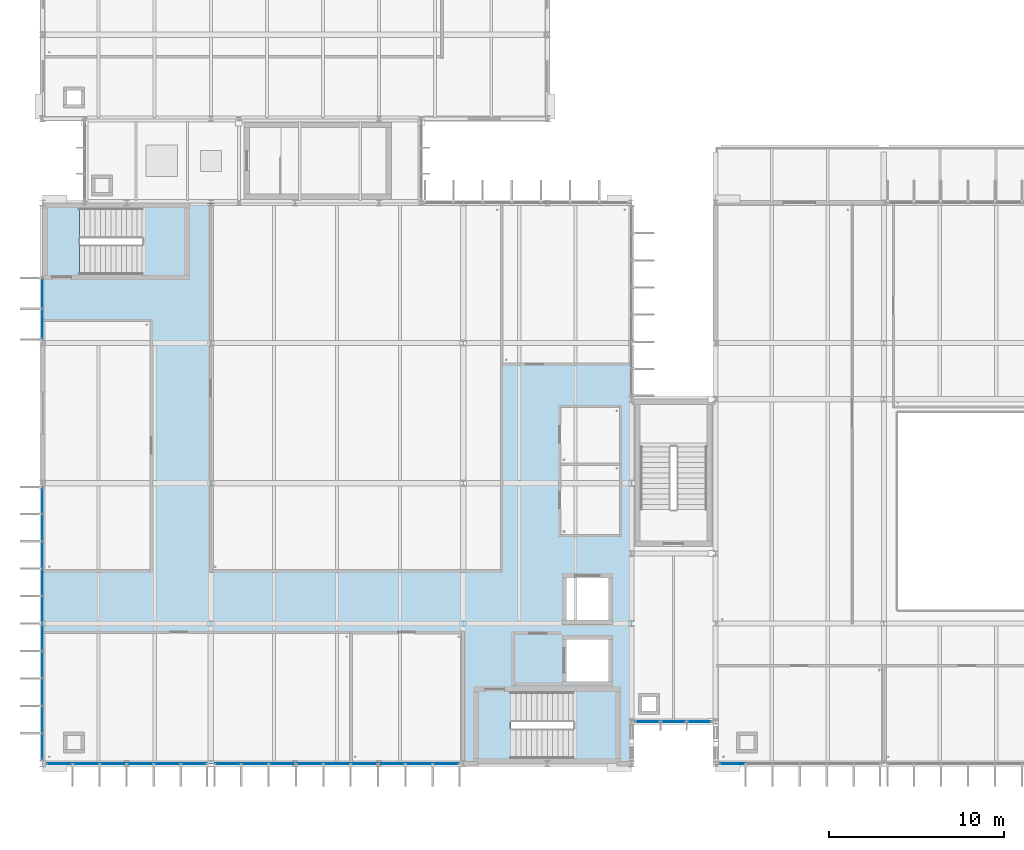
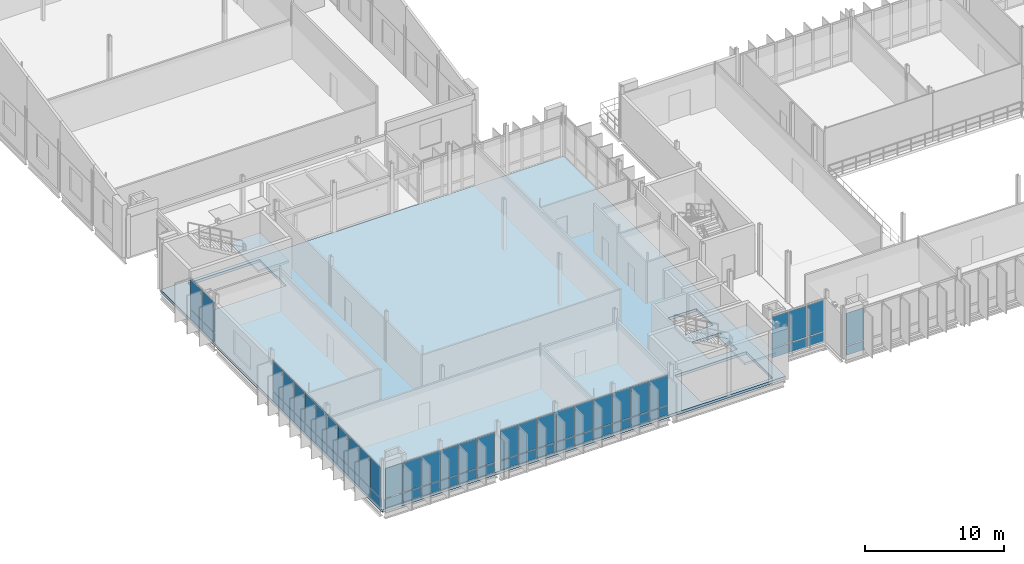
# One storey, part 39 of 93: 62 plates, 3 slabs, 8 elements without a shape of their own.
"""IFC4 building model written with IfcOpenShell, lengths in metres."""

from ifc_helpers import new_model, si_unit, direction, frame, origin, origin_2d, place, context, subcontext, project, spatial, polyline, rectangle, outline, extrude, material, layer, layer_set, type_object, element, aggregate, save


model = new_model("IFC4")

# Units and contexts
model_context = context("Model", 3, precision=1e-05, world=origin(), true_north=direction((0.0, 1.0)))
body_context = subcontext(model_context, "Body", "Model", "MODEL_VIEW")
ifc_project = project(units=[si_unit("LENGTHUNIT", "METRE"), si_unit("AREAUNIT", "SQUARE_METRE"), si_unit("VOLUMEUNIT", "CUBIC_METRE"), si_unit("PLANEANGLEUNIT", "RADIAN"), si_unit("MASSUNIT", "GRAM", prefix="KILO")], contexts=[model_context])

# Site, building, storey
site_placement = place(None, origin())
site = spatial("IfcSite", under=ifc_project, at=site_placement, CompositionType="ELEMENT")
building_placement = place(site_placement, origin())
building = spatial("IfcBuilding", under=site, at=building_placement, Name="Dunescarp Central Library", CompositionType="ELEMENT")
storey_placement = place(building_placement, frame((0.0, 0.0, 14.10009765625)))
storey = spatial("IfcBuildingStorey", under=building, at=storey_placement, Name="L03", CompositionType="ELEMENT", Elevation=14.10009765625)

# Curtain wall, plates
ifc_material_1 = material(Name="Marine-grade anodised aluminium 6063-T6", Category="aluminium")
curtain_wall_type_1 = type_object("IfcCurtainWallType", Name="ARC-CW-STICK", PredefinedType="NOTDEFINED", material=ifc_material_1)
curtain_wall_1_placement = place(storey_placement, origin())
curtain_wall_1 = element("IfcCurtainWall", 1, at=curtain_wall_1_placement, inside=storey, type_object=curtain_wall_type_1, Name="L03 curtain wall CW-V1-018", PredefinedType="NOTDEFINED")
ifc_material_2 = material(Name="Solar-control laminated double glazing", Category="glass")
ifc_layer_1 = layer(ifc_material_2, 0.028076171875)
ifc_layer_set_1 = layer_set([ifc_layer_1], Name="Solar-control laminated double glazing")
plate_type_1 = type_object("IfcPlateType", Name="ARC-PLT-GLZ28", PredefinedType="CURTAIN_PANEL", material=ifc_layer_set_1)
plate_1_placement = place(storey_placement, frame((8.63427734375, 4.800048828125, 0.93994140625), z_axis=(0.0, 0.0, 1.0), x_axis=(-1.0, 0.0, 0.0)))
plate_1 = element("IfcPlate", 2, at=plate_1_placement, type_object=plate_type_1, Name="CW-V1-018 panel 1.2", PredefinedType="CURTAIN_PANEL", context=body_context, shape_type="SweptSolid", body=[
    extrude(rectangle(XDim=1.421630859375, YDim=0.028076171875, at=origin_2d()), origin(), (0.0, 0.0, 1.0), 2.60498046875),
])
plate_2_placement = place(storey_placement, frame((7.112548828125, 4.800048828125, 0.93994140625), z_axis=(0.0, 0.0, 1.0), x_axis=(-1.0, 0.0, 0.0)))
plate_2 = element("IfcPlate", 3, at=plate_2_placement, type_object=plate_type_1, Name="CW-V1-018 panel 2.2", PredefinedType="CURTAIN_PANEL", context=body_context, shape_type="SweptSolid", body=[
    extrude(rectangle(XDim=1.461669921875, YDim=0.028076171875, at=origin_2d()), origin(), (0.0, 0.0, 1.0), 2.60498046875),
])
plate_3_placement = place(storey_placement, frame((5.57080078125, 4.800048828125, 0.93994140625), z_axis=(0.0, 0.0, 1.0), x_axis=(-1.0, 0.0, 0.0)))
plate_3 = element("IfcPlate", 4, at=plate_3_placement, type_object=plate_type_1, Name="CW-V1-018 panel 3.2", PredefinedType="CURTAIN_PANEL", context=body_context, shape_type="SweptSolid", body=[
    extrude(rectangle(XDim=1.461669921875, YDim=0.028076171875, at=origin_2d()), origin(), (0.0, 0.0, 1.0), 2.60498046875),
])
plate_4_placement = place(storey_placement, frame((4.029052734375, 4.800048828125, 0.93994140625), z_axis=(0.0, 0.0, 1.0), x_axis=(-1.0, 0.0, 0.0)))
plate_4 = element("IfcPlate", 5, at=plate_4_placement, type_object=plate_type_1, Name="CW-V1-018 panel 4.2", PredefinedType="CURTAIN_PANEL", context=body_context, shape_type="SweptSolid", body=[
    extrude(rectangle(XDim=1.461669921875, YDim=0.028076171875, at=origin_2d()), origin(), (0.0, 0.0, 1.0), 2.60498046875),
])
plate_5_placement = place(storey_placement, frame((2.487548828125, 4.800048828125, 0.93994140625), z_axis=(0.0, 0.0, 1.0), x_axis=(-1.0, 0.0, 0.0)))
plate_5 = element("IfcPlate", 6, at=plate_5_placement, type_object=plate_type_1, Name="CW-V1-018 panel 5.2", PredefinedType="CURTAIN_PANEL", context=body_context, shape_type="SweptSolid", body=[
    extrude(rectangle(XDim=1.461669921875, YDim=0.028076171875, at=origin_2d()), origin(), (0.0, 0.0, 1.0), 2.60498046875),
])
plate_6_placement = place(storey_placement, frame((0.9658203125, 4.800048828125, 0.93994140625), z_axis=(0.0, 0.0, 1.0), x_axis=(-1.0, 0.0, 0.0)))
plate_6 = element("IfcPlate", 7, at=plate_6_placement, type_object=plate_type_1, Name="CW-V1-018 panel 6.2", PredefinedType="CURTAIN_PANEL", context=body_context, shape_type="SweptSolid", body=[
    extrude(rectangle(XDim=1.421630859375, YDim=0.028076171875, at=origin_2d()), origin(), (0.0, 0.0, 1.0), 2.60498046875),
])

curtain_wall_2_placement = place(storey_placement, origin())
curtain_wall_2 = element("IfcCurtainWall", 8, at=curtain_wall_2_placement, inside=storey, type_object=curtain_wall_type_1, Name="L03 curtain wall CW-V1-019", PredefinedType="NOTDEFINED")
plate_7_placement = place(storey_placement, frame((23.0244140625, 4.800048828125, 0.93994140625), z_axis=(0.0, 0.0, 1.0), x_axis=(-1.0, 0.0, 0.0)))
plate_7 = element("IfcPlate", 9, at=plate_7_placement, type_object=plate_type_1, Name="CW-V1-019 panel 1.2", PredefinedType="CURTAIN_PANEL", context=body_context, shape_type="SweptSolid", body=[
    extrude(rectangle(XDim=1.441162109375, YDim=0.028076171875, at=origin_2d()), origin(), (0.0, 0.0, 1.0), 2.60498046875),
])
plate_8_placement = place(storey_placement, frame((21.4833984375, 4.800048828125, 0.93994140625), z_axis=(0.0, 0.0, 1.0), x_axis=(-1.0, 0.0, 0.0)))
plate_8 = element("IfcPlate", 10, at=plate_8_placement, type_object=plate_type_1, Name="CW-V1-019 panel 2.2", PredefinedType="CURTAIN_PANEL", context=body_context, shape_type="SweptSolid", body=[
    extrude(rectangle(XDim=1.481201171875, YDim=0.028076171875, at=origin_2d()), origin(), (0.0, 0.0, 1.0), 2.60498046875),
])
plate_9_placement = place(storey_placement, frame((19.922119140625, 4.800048828125, 0.93994140625), z_axis=(0.0, 0.0, 1.0), x_axis=(-1.0, 0.0, 0.0)))
plate_9 = element("IfcPlate", 11, at=plate_9_placement, type_object=plate_type_1, Name="CW-V1-019 panel 3.2", PredefinedType="CURTAIN_PANEL", context=body_context, shape_type="SweptSolid", body=[
    extrude(rectangle(XDim=1.481201171875, YDim=0.028076171875, at=origin_2d()), origin(), (0.0, 0.0, 1.0), 2.60498046875),
])
plate_10_placement = place(storey_placement, frame((18.361083984375, 4.800048828125, 0.93994140625), z_axis=(0.0, 0.0, 1.0), x_axis=(-1.0, 0.0, 0.0)))
plate_10 = element("IfcPlate", 12, at=plate_10_placement, type_object=plate_type_1, Name="CW-V1-019 panel 4.2", PredefinedType="CURTAIN_PANEL", context=body_context, shape_type="SweptSolid", body=[
    extrude(rectangle(XDim=1.481201171875, YDim=0.028076171875, at=origin_2d()), origin(), (0.0, 0.0, 1.0), 2.60498046875),
])
plate_11_placement = place(storey_placement, frame((16.800048828125, 4.800048828125, 0.93994140625), z_axis=(0.0, 0.0, 1.0), x_axis=(-1.0, 0.0, 0.0)))
plate_11 = element("IfcPlate", 13, at=plate_11_placement, type_object=plate_type_1, Name="CW-V1-019 panel 5.2", PredefinedType="CURTAIN_PANEL", context=body_context, shape_type="SweptSolid", body=[
    extrude(rectangle(XDim=1.481201171875, YDim=0.028076171875, at=origin_2d()), origin(), (0.0, 0.0, 1.0), 2.60498046875),
])
plate_12_placement = place(storey_placement, frame((15.23876953125, 4.800048828125, 0.93994140625), z_axis=(0.0, 0.0, 1.0), x_axis=(-1.0, 0.0, 0.0)))
plate_12 = element("IfcPlate", 14, at=plate_12_placement, type_object=plate_type_1, Name="CW-V1-019 panel 6.2", PredefinedType="CURTAIN_PANEL", context=body_context, shape_type="SweptSolid", body=[
    extrude(rectangle(XDim=1.481201171875, YDim=0.028076171875, at=origin_2d()), origin(), (0.0, 0.0, 1.0), 2.60498046875),
])
plate_13_placement = place(storey_placement, frame((13.677734375, 4.800048828125, 0.93994140625), z_axis=(0.0, 0.0, 1.0), x_axis=(-1.0, 0.0, 0.0)))
plate_13 = element("IfcPlate", 15, at=plate_13_placement, type_object=plate_type_1, Name="CW-V1-019 panel 7.2", PredefinedType="CURTAIN_PANEL", context=body_context, shape_type="SweptSolid", body=[
    extrude(rectangle(XDim=1.481201171875, YDim=0.028076171875, at=origin_2d()), origin(), (0.0, 0.0, 1.0), 2.60498046875),
])
plate_14_placement = place(storey_placement, frame((12.11669921875, 4.800048828125, 0.93994140625), z_axis=(0.0, 0.0, 1.0), x_axis=(-1.0, 0.0, 0.0)))
plate_14 = element("IfcPlate", 16, at=plate_14_placement, type_object=plate_type_1, Name="CW-V1-019 panel 8.2", PredefinedType="CURTAIN_PANEL", context=body_context, shape_type="SweptSolid", body=[
    extrude(rectangle(XDim=1.481201171875, YDim=0.028076171875, at=origin_2d()), origin(), (0.0, 0.0, 1.0), 2.60498046875),
])
plate_15_placement = place(storey_placement, frame((10.575439453125, 4.800048828125, 0.93994140625), z_axis=(0.0, 0.0, 1.0), x_axis=(-1.0, 0.0, 0.0)))
plate_15 = element("IfcPlate", 17, at=plate_15_placement, type_object=plate_type_1, Name="CW-V1-019 panel 9.2", PredefinedType="CURTAIN_PANEL", context=body_context, shape_type="SweptSolid", body=[
    extrude(rectangle(XDim=1.441162109375, YDim=0.028076171875, at=origin_2d()), origin(), (0.0, 0.0, 1.0), 2.60498046875),
])

curtain_wall_3_placement = place(storey_placement, origin())
curtain_wall_3 = element("IfcCurtainWall", 18, at=curtain_wall_3_placement, inside=storey, type_object=curtain_wall_type_1, Name="L03 curtain wall CW-V1-021", PredefinedType="NOTDEFINED")
plate_16_placement = place(storey_placement, frame((0.0, 5.777587890625, 0.93994140625), z_axis=(0.0, 0.0, 1.0), x_axis=(0.0, 1.0, 0.0)))
plate_16 = element("IfcPlate", 19, at=plate_16_placement, type_object=plate_type_1, Name="CW-V1-021 panel 1.2", PredefinedType="CURTAIN_PANEL", context=body_context, shape_type="SweptSolid", body=[
    extrude(rectangle(XDim=1.445068359375, YDim=0.028076171875, at=origin_2d()), origin(), (0.0, 0.0, 1.0), 2.655029296875),
])
plate_17_placement = place(storey_placement, frame((0.0, 7.322509765625, 0.93994140625), z_axis=(0.0, 0.0, 1.0), x_axis=(0.0, 1.0, 0.0)))
plate_17 = element("IfcPlate", 20, at=plate_17_placement, type_object=plate_type_1, Name="CW-V1-021 panel 2.2", PredefinedType="CURTAIN_PANEL", context=body_context, shape_type="SweptSolid", body=[
    extrude(rectangle(XDim=1.485107421875, YDim=0.028076171875, at=origin_2d()), origin(), (0.0, 0.0, 1.0), 2.655029296875),
])
plate_18_placement = place(storey_placement, frame((0.0, 8.887451171875, 0.93994140625), z_axis=(0.0, 0.0, 1.0), x_axis=(0.0, 1.0, 0.0)))
plate_18 = element("IfcPlate", 21, at=plate_18_placement, type_object=plate_type_1, Name="CW-V1-021 panel 3.2", PredefinedType="CURTAIN_PANEL", context=body_context, shape_type="SweptSolid", body=[
    extrude(rectangle(XDim=1.485107421875, YDim=0.028076171875, at=origin_2d()), origin(), (0.0, 0.0, 1.0), 2.655029296875),
])
plate_19_placement = place(storey_placement, frame((0.0, 10.452392578125, 0.93994140625), z_axis=(0.0, 0.0, 1.0), x_axis=(0.0, 1.0, 0.0)))
plate_19 = element("IfcPlate", 22, at=plate_19_placement, type_object=plate_type_1, Name="CW-V1-021 panel 4.2", PredefinedType="CURTAIN_PANEL", context=body_context, shape_type="SweptSolid", body=[
    extrude(rectangle(XDim=1.485107421875, YDim=0.028076171875, at=origin_2d()), origin(), (0.0, 0.0, 1.0), 2.655029296875),
])
plate_20_placement = place(storey_placement, frame((0.0, 12.017578125, 0.93994140625), z_axis=(0.0, 0.0, 1.0), x_axis=(0.0, 1.0, 0.0)))
plate_20 = element("IfcPlate", 23, at=plate_20_placement, type_object=plate_type_1, Name="CW-V1-021 panel 5.2", PredefinedType="CURTAIN_PANEL", context=body_context, shape_type="SweptSolid", body=[
    extrude(rectangle(XDim=1.485107421875, YDim=0.028076171875, at=origin_2d()), origin(), (0.0, 0.0, 1.0), 2.655029296875),
])
plate_21_placement = place(storey_placement, frame((0.0, 13.58251953125, 0.93994140625), z_axis=(0.0, 0.0, 1.0), x_axis=(0.0, 1.0, 0.0)))
plate_21 = element("IfcPlate", 24, at=plate_21_placement, type_object=plate_type_1, Name="CW-V1-021 panel 6.2", PredefinedType="CURTAIN_PANEL", context=body_context, shape_type="SweptSolid", body=[
    extrude(rectangle(XDim=1.485107421875, YDim=0.028076171875, at=origin_2d()), origin(), (0.0, 0.0, 1.0), 2.655029296875),
])
plate_22_placement = place(storey_placement, frame((0.0, 15.1474609375, 0.93994140625), z_axis=(0.0, 0.0, 1.0), x_axis=(0.0, 1.0, 0.0)))
plate_22 = element("IfcPlate", 25, at=plate_22_placement, type_object=plate_type_1, Name="CW-V1-021 panel 7.2", PredefinedType="CURTAIN_PANEL", context=body_context, shape_type="SweptSolid", body=[
    extrude(rectangle(XDim=1.485107421875, YDim=0.028076171875, at=origin_2d()), origin(), (0.0, 0.0, 1.0), 2.655029296875),
])
plate_23_placement = place(storey_placement, frame((0.0, 16.71240234375, 0.93994140625), z_axis=(0.0, 0.0, 1.0), x_axis=(0.0, 1.0, 0.0)))
plate_23 = element("IfcPlate", 26, at=plate_23_placement, type_object=plate_type_1, Name="CW-V1-021 panel 8.2", PredefinedType="CURTAIN_PANEL", context=body_context, shape_type="SweptSolid", body=[
    extrude(rectangle(XDim=1.485107421875, YDim=0.028076171875, at=origin_2d()), origin(), (0.0, 0.0, 1.0), 2.655029296875),
])
plate_24_placement = place(storey_placement, frame((0.0, 18.277587890625, 0.93994140625), z_axis=(0.0, 0.0, 1.0), x_axis=(0.0, 1.0, 0.0)))
plate_24 = element("IfcPlate", 27, at=plate_24_placement, type_object=plate_type_1, Name="CW-V1-021 panel 9.2", PredefinedType="CURTAIN_PANEL", context=body_context, shape_type="SweptSolid", body=[
    extrude(rectangle(XDim=1.485107421875, YDim=0.028076171875, at=origin_2d()), origin(), (0.0, 0.0, 1.0), 2.655029296875),
])
plate_25_placement = place(storey_placement, frame((0.0, 19.822509765625, 0.93994140625), z_axis=(0.0, 0.0, 1.0), x_axis=(0.0, 1.0, 0.0)))
plate_25 = element("IfcPlate", 28, at=plate_25_placement, type_object=plate_type_1, Name="CW-V1-021 panel 10.2", PredefinedType="CURTAIN_PANEL", context=body_context, shape_type="SweptSolid", body=[
    extrude(rectangle(XDim=1.445068359375, YDim=0.028076171875, at=origin_2d()), origin(), (0.0, 0.0, 1.0), 2.655029296875),
])

curtain_wall_4_placement = place(storey_placement, origin())
curtain_wall_4 = element("IfcCurtainWall", 29, at=curtain_wall_4_placement, inside=storey, type_object=curtain_wall_type_1, Name="L03 curtain wall CW-V1-022", PredefinedType="NOTDEFINED")
plate_26_placement = place(storey_placement, frame((0.0, 29.888671875, 0.93994140625), z_axis=(0.0, 0.0, 1.0), x_axis=(0.0, 1.0, 0.0)))
plate_26 = element("IfcPlate", 30, at=plate_26_placement, type_object=plate_type_1, Name="CW-V1-022 panel 1.2", PredefinedType="CURTAIN_PANEL", context=body_context, shape_type="SweptSolid", body=[
    extrude(rectangle(XDim=1.66748046875, YDim=0.028076171875, at=origin_2d()), origin(), (0.0, 0.0, 1.0), 2.655029296875),
])
plate_27_placement = place(storey_placement, frame((0.0, 31.63623046875, 0.93994140625), z_axis=(0.0, 0.0, 1.0), x_axis=(0.0, 1.0, 0.0)))
plate_27 = element("IfcPlate", 31, at=plate_27_placement, type_object=plate_type_1, Name="CW-V1-022 panel 2.2", PredefinedType="CURTAIN_PANEL", context=body_context, shape_type="SweptSolid", body=[
    extrude(rectangle(XDim=1.66748046875, YDim=0.028076171875, at=origin_2d()), origin(), (0.0, 0.0, 1.0), 2.655029296875),
])

# Curtain wall, plate
curtain_wall_5_placement = place(storey_placement, origin())
curtain_wall_5 = element("IfcCurtainWall", 32, at=curtain_wall_5_placement, inside=storey, type_object=curtain_wall_type_1, Name="L03 curtain wall CW-V2-061", PredefinedType="NOTDEFINED")
plate_28_placement = place(storey_placement, frame((39.36572265625, 4.800048828125, 0.93994140625), z_axis=(0.0, 0.0, 1.0), x_axis=(-1.0, 0.0, 0.0)))
plate_28 = element("IfcPlate", 33, at=plate_28_placement, type_object=plate_type_1, Name="CW-V2-061 panel 6.2", PredefinedType="CURTAIN_PANEL", context=body_context, shape_type="SweptSolid", body=[
    extrude(rectangle(XDim=1.421630859375, YDim=0.028076171875, at=origin_2d()), origin(), (0.0, 0.0, 1.0), 2.842041015625),
])

# Curtain wall, plates
curtain_wall_type_2 = type_object("IfcCurtainWallType", Name="ARC-CW-LINK", PredefinedType="USERDEFINED", material=ifc_material_1)
curtain_wall_6_placement = place(storey_placement, origin())
curtain_wall_6 = element("IfcCurtainWall", 34, at=curtain_wall_6_placement, inside=storey, type_object=curtain_wall_type_2, Name="L03 curtain wall CW-GL1-S-L03", ObjectType="GLAZED_LINK_WALL", PredefinedType="USERDEFINED")
plate_29_placement = place(storey_placement, frame((37.46337890625, 7.199951171875, 0.93994140625), z_axis=(0.0, 0.0, 1.0), x_axis=(-1.0, 0.0, 0.0)))
plate_29 = element("IfcPlate", 35, at=plate_29_placement, type_object=plate_type_1, Name="CW-GL1-S-L03 panel 1.2", PredefinedType="CURTAIN_PANEL", context=body_context, shape_type="SweptSolid", body=[
    extrude(rectangle(XDim=1.36328125, YDim=0.028076171875, at=origin_2d()), origin(), (0.0, 0.0, 1.0), 2.7548828125),
])
plate_30_placement = place(storey_placement, frame((36.0, 7.199951171875, 0.93994140625), z_axis=(0.0, 0.0, 1.0), x_axis=(-1.0, 0.0, 0.0)))
plate_30 = element("IfcPlate", 36, at=plate_30_placement, type_object=plate_type_1, Name="CW-GL1-S-L03 panel 2.2", PredefinedType="CURTAIN_PANEL", context=body_context, shape_type="SweptSolid", body=[
    extrude(rectangle(XDim=1.4033203125, YDim=0.028076171875, at=origin_2d()), origin(), (0.0, 0.0, 1.0), 2.7548828125),
])
plate_31_placement = place(storey_placement, frame((34.53662109375, 7.199951171875, 0.93994140625), z_axis=(0.0, 0.0, 1.0), x_axis=(-1.0, 0.0, 0.0)))
plate_31 = element("IfcPlate", 37, at=plate_31_placement, type_object=plate_type_1, Name="CW-GL1-S-L03 panel 3.2", PredefinedType="CURTAIN_PANEL", context=body_context, shape_type="SweptSolid", body=[
    extrude(rectangle(XDim=1.36328125, YDim=0.028076171875, at=origin_2d()), origin(), (0.0, 0.0, 1.0), 2.7548828125),
])

# Plate
ifc_layer_2 = layer(ifc_material_1, 0.050048828125)
ifc_layer_set_2 = layer_set([ifc_layer_2], Name="Marine-grade anodised aluminium 6063-T6")
plate_type_2 = type_object("IfcPlateType", Name="ARC-PLT-SPN50", PredefinedType="SHEET", material=ifc_layer_set_2)
plate_32_placement = place(storey_placement, frame((8.63427734375, 4.800048828125, 0.080078125), z_axis=(0.0, 0.0, 1.0), x_axis=(-1.0, 0.0, 0.0)))
plate_32 = element("IfcPlate", 38, at=plate_32_placement, type_object=plate_type_2, Name="CW-V1-018 panel 1.1", PredefinedType="SHEET", context=body_context, shape_type="SweptSolid", body=[
    extrude(rectangle(XDim=1.421630859375, YDim=0.050048828125, at=origin_2d()), origin(), (0.0, 0.0, 1.0), 0.780029296875),
])

plate_33_placement = place(storey_placement, frame((7.112548828125, 4.800048828125, 0.080078125), z_axis=(0.0, 0.0, 1.0), x_axis=(-1.0, 0.0, 0.0)))
plate_33 = element("IfcPlate", 39, at=plate_33_placement, type_object=plate_type_2, Name="CW-V1-018 panel 2.1", PredefinedType="SHEET", context=body_context, shape_type="SweptSolid", body=[
    extrude(rectangle(XDim=1.461669921875, YDim=0.050048828125, at=origin_2d()), origin(), (0.0, 0.0, 1.0), 0.780029296875),
])

plate_34_placement = place(storey_placement, frame((5.57080078125, 4.800048828125, 0.080078125), z_axis=(0.0, 0.0, 1.0), x_axis=(-1.0, 0.0, 0.0)))
plate_34 = element("IfcPlate", 40, at=plate_34_placement, type_object=plate_type_2, Name="CW-V1-018 panel 3.1", PredefinedType="SHEET", context=body_context, shape_type="SweptSolid", body=[
    extrude(rectangle(XDim=1.461669921875, YDim=0.050048828125, at=origin_2d()), origin(), (0.0, 0.0, 1.0), 0.780029296875),
])

plate_35_placement = place(storey_placement, frame((4.029052734375, 4.800048828125, 0.080078125), z_axis=(0.0, 0.0, 1.0), x_axis=(-1.0, 0.0, 0.0)))
plate_35 = element("IfcPlate", 41, at=plate_35_placement, type_object=plate_type_2, Name="CW-V1-018 panel 4.1", PredefinedType="SHEET", context=body_context, shape_type="SweptSolid", body=[
    extrude(rectangle(XDim=1.461669921875, YDim=0.050048828125, at=origin_2d()), origin(), (0.0, 0.0, 1.0), 0.780029296875),
])

plate_36_placement = place(storey_placement, frame((2.487548828125, 4.800048828125, 0.080078125), z_axis=(0.0, 0.0, 1.0), x_axis=(-1.0, 0.0, 0.0)))
plate_36 = element("IfcPlate", 42, at=plate_36_placement, type_object=plate_type_2, Name="CW-V1-018 panel 5.1", PredefinedType="SHEET", context=body_context, shape_type="SweptSolid", body=[
    extrude(rectangle(XDim=1.461669921875, YDim=0.050048828125, at=origin_2d()), origin(), (0.0, 0.0, 1.0), 0.780029296875),
])

plate_37_placement = place(storey_placement, frame((0.9658203125, 4.800048828125, 0.080078125), z_axis=(0.0, 0.0, 1.0), x_axis=(-1.0, 0.0, 0.0)))
plate_37 = element("IfcPlate", 43, at=plate_37_placement, type_object=plate_type_2, Name="CW-V1-018 panel 6.1", PredefinedType="SHEET", context=body_context, shape_type="SweptSolid", body=[
    extrude(rectangle(XDim=1.421630859375, YDim=0.050048828125, at=origin_2d()), origin(), (0.0, 0.0, 1.0), 0.780029296875),
])

aggregate(curtain_wall_1, [plate_32, plate_1, plate_33, plate_2, plate_34, plate_3, plate_35, plate_4, plate_36, plate_5, plate_37, plate_6])

plate_38_placement = place(storey_placement, frame((23.0244140625, 4.800048828125, 0.080078125), z_axis=(0.0, 0.0, 1.0), x_axis=(-1.0, 0.0, 0.0)))
plate_38 = element("IfcPlate", 44, at=plate_38_placement, type_object=plate_type_2, Name="CW-V1-019 panel 1.1", PredefinedType="SHEET", context=body_context, shape_type="SweptSolid", body=[
    extrude(rectangle(XDim=1.441162109375, YDim=0.050048828125, at=origin_2d()), origin(), (0.0, 0.0, 1.0), 0.780029296875),
])

plate_39_placement = place(storey_placement, frame((21.4833984375, 4.800048828125, 0.080078125), z_axis=(0.0, 0.0, 1.0), x_axis=(-1.0, 0.0, 0.0)))
plate_39 = element("IfcPlate", 45, at=plate_39_placement, type_object=plate_type_2, Name="CW-V1-019 panel 2.1", PredefinedType="SHEET", context=body_context, shape_type="SweptSolid", body=[
    extrude(rectangle(XDim=1.481201171875, YDim=0.050048828125, at=origin_2d()), origin(), (0.0, 0.0, 1.0), 0.780029296875),
])

plate_40_placement = place(storey_placement, frame((19.922119140625, 4.800048828125, 0.080078125), z_axis=(0.0, 0.0, 1.0), x_axis=(-1.0, 0.0, 0.0)))
plate_40 = element("IfcPlate", 46, at=plate_40_placement, type_object=plate_type_2, Name="CW-V1-019 panel 3.1", PredefinedType="SHEET", context=body_context, shape_type="SweptSolid", body=[
    extrude(rectangle(XDim=1.481201171875, YDim=0.050048828125, at=origin_2d()), origin(), (0.0, 0.0, 1.0), 0.780029296875),
])

plate_41_placement = place(storey_placement, frame((18.361083984375, 4.800048828125, 0.080078125), z_axis=(0.0, 0.0, 1.0), x_axis=(-1.0, 0.0, 0.0)))
plate_41 = element("IfcPlate", 47, at=plate_41_placement, type_object=plate_type_2, Name="CW-V1-019 panel 4.1", PredefinedType="SHEET", context=body_context, shape_type="SweptSolid", body=[
    extrude(rectangle(XDim=1.481201171875, YDim=0.050048828125, at=origin_2d()), origin(), (0.0, 0.0, 1.0), 0.780029296875),
])

plate_42_placement = place(storey_placement, frame((16.800048828125, 4.800048828125, 0.080078125), z_axis=(0.0, 0.0, 1.0), x_axis=(-1.0, 0.0, 0.0)))
plate_42 = element("IfcPlate", 48, at=plate_42_placement, type_object=plate_type_2, Name="CW-V1-019 panel 5.1", PredefinedType="SHEET", context=body_context, shape_type="SweptSolid", body=[
    extrude(rectangle(XDim=1.481201171875, YDim=0.050048828125, at=origin_2d()), origin(), (0.0, 0.0, 1.0), 0.780029296875),
])

plate_43_placement = place(storey_placement, frame((15.23876953125, 4.800048828125, 0.080078125), z_axis=(0.0, 0.0, 1.0), x_axis=(-1.0, 0.0, 0.0)))
plate_43 = element("IfcPlate", 49, at=plate_43_placement, type_object=plate_type_2, Name="CW-V1-019 panel 6.1", PredefinedType="SHEET", context=body_context, shape_type="SweptSolid", body=[
    extrude(rectangle(XDim=1.481201171875, YDim=0.050048828125, at=origin_2d()), origin(), (0.0, 0.0, 1.0), 0.780029296875),
])

plate_44_placement = place(storey_placement, frame((13.677734375, 4.800048828125, 0.080078125), z_axis=(0.0, 0.0, 1.0), x_axis=(-1.0, 0.0, 0.0)))
plate_44 = element("IfcPlate", 50, at=plate_44_placement, type_object=plate_type_2, Name="CW-V1-019 panel 7.1", PredefinedType="SHEET", context=body_context, shape_type="SweptSolid", body=[
    extrude(rectangle(XDim=1.481201171875, YDim=0.050048828125, at=origin_2d()), origin(), (0.0, 0.0, 1.0), 0.780029296875),
])

plate_45_placement = place(storey_placement, frame((12.11669921875, 4.800048828125, 0.080078125), z_axis=(0.0, 0.0, 1.0), x_axis=(-1.0, 0.0, 0.0)))
plate_45 = element("IfcPlate", 51, at=plate_45_placement, type_object=plate_type_2, Name="CW-V1-019 panel 8.1", PredefinedType="SHEET", context=body_context, shape_type="SweptSolid", body=[
    extrude(rectangle(XDim=1.481201171875, YDim=0.050048828125, at=origin_2d()), origin(), (0.0, 0.0, 1.0), 0.780029296875),
])

plate_46_placement = place(storey_placement, frame((10.575439453125, 4.800048828125, 0.080078125), z_axis=(0.0, 0.0, 1.0), x_axis=(-1.0, 0.0, 0.0)))
plate_46 = element("IfcPlate", 52, at=plate_46_placement, type_object=plate_type_2, Name="CW-V1-019 panel 9.1", PredefinedType="SHEET", context=body_context, shape_type="SweptSolid", body=[
    extrude(rectangle(XDim=1.441162109375, YDim=0.050048828125, at=origin_2d()), origin(), (0.0, 0.0, 1.0), 0.780029296875),
])

aggregate(curtain_wall_2, [plate_38, plate_7, plate_39, plate_8, plate_40, plate_9, plate_41, plate_10, plate_42, plate_11, plate_43, plate_12, plate_44, plate_13, plate_45, plate_14, plate_46, plate_15])

plate_47_placement = place(storey_placement, frame((0.0, 5.777587890625, 0.080078125), z_axis=(0.0, 0.0, 1.0), x_axis=(0.0, 1.0, 0.0)))
plate_47 = element("IfcPlate", 53, at=plate_47_placement, type_object=plate_type_2, Name="CW-V1-021 panel 1.1", PredefinedType="SHEET", context=body_context, shape_type="SweptSolid", body=[
    extrude(rectangle(XDim=1.445068359375, YDim=0.050048828125, at=origin_2d()), origin(), (0.0, 0.0, 1.0), 0.780029296875),
])

plate_48_placement = place(storey_placement, frame((0.0, 7.322509765625, 0.080078125), z_axis=(0.0, 0.0, 1.0), x_axis=(0.0, 1.0, 0.0)))
plate_48 = element("IfcPlate", 54, at=plate_48_placement, type_object=plate_type_2, Name="CW-V1-021 panel 2.1", PredefinedType="SHEET", context=body_context, shape_type="SweptSolid", body=[
    extrude(rectangle(XDim=1.485107421875, YDim=0.050048828125, at=origin_2d()), origin(), (0.0, 0.0, 1.0), 0.780029296875),
])

plate_49_placement = place(storey_placement, frame((0.0, 8.887451171875, 0.080078125), z_axis=(0.0, 0.0, 1.0), x_axis=(0.0, 1.0, 0.0)))
plate_49 = element("IfcPlate", 55, at=plate_49_placement, type_object=plate_type_2, Name="CW-V1-021 panel 3.1", PredefinedType="SHEET", context=body_context, shape_type="SweptSolid", body=[
    extrude(rectangle(XDim=1.485107421875, YDim=0.050048828125, at=origin_2d()), origin(), (0.0, 0.0, 1.0), 0.780029296875),
])

plate_50_placement = place(storey_placement, frame((0.0, 10.452392578125, 0.080078125), z_axis=(0.0, 0.0, 1.0), x_axis=(0.0, 1.0, 0.0)))
plate_50 = element("IfcPlate", 56, at=plate_50_placement, type_object=plate_type_2, Name="CW-V1-021 panel 4.1", PredefinedType="SHEET", context=body_context, shape_type="SweptSolid", body=[
    extrude(rectangle(XDim=1.485107421875, YDim=0.050048828125, at=origin_2d()), origin(), (0.0, 0.0, 1.0), 0.780029296875),
])

plate_51_placement = place(storey_placement, frame((0.0, 12.017578125, 0.080078125), z_axis=(0.0, 0.0, 1.0), x_axis=(0.0, 1.0, 0.0)))
plate_51 = element("IfcPlate", 57, at=plate_51_placement, type_object=plate_type_2, Name="CW-V1-021 panel 5.1", PredefinedType="SHEET", context=body_context, shape_type="SweptSolid", body=[
    extrude(rectangle(XDim=1.485107421875, YDim=0.050048828125, at=origin_2d()), origin(), (0.0, 0.0, 1.0), 0.780029296875),
])

plate_52_placement = place(storey_placement, frame((0.0, 13.58251953125, 0.080078125), z_axis=(0.0, 0.0, 1.0), x_axis=(0.0, 1.0, 0.0)))
plate_52 = element("IfcPlate", 58, at=plate_52_placement, type_object=plate_type_2, Name="CW-V1-021 panel 6.1", PredefinedType="SHEET", context=body_context, shape_type="SweptSolid", body=[
    extrude(rectangle(XDim=1.485107421875, YDim=0.050048828125, at=origin_2d()), origin(), (0.0, 0.0, 1.0), 0.780029296875),
])

plate_53_placement = place(storey_placement, frame((0.0, 15.1474609375, 0.080078125), z_axis=(0.0, 0.0, 1.0), x_axis=(0.0, 1.0, 0.0)))
plate_53 = element("IfcPlate", 59, at=plate_53_placement, type_object=plate_type_2, Name="CW-V1-021 panel 7.1", PredefinedType="SHEET", context=body_context, shape_type="SweptSolid", body=[
    extrude(rectangle(XDim=1.485107421875, YDim=0.050048828125, at=origin_2d()), origin(), (0.0, 0.0, 1.0), 0.780029296875),
])

plate_54_placement = place(storey_placement, frame((0.0, 16.71240234375, 0.080078125), z_axis=(0.0, 0.0, 1.0), x_axis=(0.0, 1.0, 0.0)))
plate_54 = element("IfcPlate", 60, at=plate_54_placement, type_object=plate_type_2, Name="CW-V1-021 panel 8.1", PredefinedType="SHEET", context=body_context, shape_type="SweptSolid", body=[
    extrude(rectangle(XDim=1.485107421875, YDim=0.050048828125, at=origin_2d()), origin(), (0.0, 0.0, 1.0), 0.780029296875),
])

plate_55_placement = place(storey_placement, frame((0.0, 18.277587890625, 0.080078125), z_axis=(0.0, 0.0, 1.0), x_axis=(0.0, 1.0, 0.0)))
plate_55 = element("IfcPlate", 61, at=plate_55_placement, type_object=plate_type_2, Name="CW-V1-021 panel 9.1", PredefinedType="SHEET", context=body_context, shape_type="SweptSolid", body=[
    extrude(rectangle(XDim=1.485107421875, YDim=0.050048828125, at=origin_2d()), origin(), (0.0, 0.0, 1.0), 0.780029296875),
])

plate_56_placement = place(storey_placement, frame((0.0, 19.822509765625, 0.080078125), z_axis=(0.0, 0.0, 1.0), x_axis=(0.0, 1.0, 0.0)))
plate_56 = element("IfcPlate", 62, at=plate_56_placement, type_object=plate_type_2, Name="CW-V1-021 panel 10.1", PredefinedType="SHEET", context=body_context, shape_type="SweptSolid", body=[
    extrude(rectangle(XDim=1.445068359375, YDim=0.050048828125, at=origin_2d()), origin(), (0.0, 0.0, 1.0), 0.780029296875),
])

aggregate(curtain_wall_3, [plate_47, plate_16, plate_48, plate_17, plate_49, plate_18, plate_50, plate_19, plate_51, plate_20, plate_52, plate_21, plate_53, plate_22, plate_54, plate_23, plate_55, plate_24, plate_56, plate_25])

plate_57_placement = place(storey_placement, frame((0.0, 29.888671875, 0.080078125), z_axis=(0.0, 0.0, 1.0), x_axis=(0.0, 1.0, 0.0)))
plate_57 = element("IfcPlate", 63, at=plate_57_placement, type_object=plate_type_2, Name="CW-V1-022 panel 1.1", PredefinedType="SHEET", context=body_context, shape_type="SweptSolid", body=[
    extrude(rectangle(XDim=1.66748046875, YDim=0.050048828125, at=origin_2d()), origin(), (0.0, 0.0, 1.0), 0.780029296875),
])

plate_58_placement = place(storey_placement, frame((0.0, 31.63623046875, 0.080078125), z_axis=(0.0, 0.0, 1.0), x_axis=(0.0, 1.0, 0.0)))
plate_58 = element("IfcPlate", 64, at=plate_58_placement, type_object=plate_type_2, Name="CW-V1-022 panel 2.1", PredefinedType="SHEET", context=body_context, shape_type="SweptSolid", body=[
    extrude(rectangle(XDim=1.66748046875, YDim=0.050048828125, at=origin_2d()), origin(), (0.0, 0.0, 1.0), 0.780029296875),
])

aggregate(curtain_wall_4, [plate_57, plate_26, plate_58, plate_27])

plate_59_placement = place(storey_placement, frame((39.36572265625, 4.800048828125, 0.080078125), z_axis=(0.0, 0.0, 1.0), x_axis=(-1.0, 0.0, 0.0)))
plate_59 = element("IfcPlate", 65, at=plate_59_placement, type_object=plate_type_2, Name="CW-V2-061 panel 6.1", PredefinedType="SHEET", context=body_context, shape_type="SweptSolid", body=[
    extrude(rectangle(XDim=1.421630859375, YDim=0.050048828125, at=origin_2d()), origin(), (0.0, 0.0, 1.0), 0.780029296875),
])

aggregate(curtain_wall_5, [plate_59, plate_28])

plate_60_placement = place(storey_placement, frame((37.46337890625, 7.199951171875, 0.080078125), z_axis=(0.0, 0.0, 1.0), x_axis=(-1.0, 0.0, 0.0)))
plate_60 = element("IfcPlate", 66, at=plate_60_placement, type_object=plate_type_2, Name="CW-GL1-S-L03 panel 1.1", PredefinedType="SHEET", context=body_context, shape_type="SweptSolid", body=[
    extrude(rectangle(XDim=1.36328125, YDim=0.050048828125, at=origin_2d()), origin(), (0.0, 0.0, 1.0), 0.780029296875),
])

plate_61_placement = place(storey_placement, frame((36.0, 7.199951171875, 0.080078125), z_axis=(0.0, 0.0, 1.0), x_axis=(-1.0, 0.0, 0.0)))
plate_61 = element("IfcPlate", 67, at=plate_61_placement, type_object=plate_type_2, Name="CW-GL1-S-L03 panel 2.1", PredefinedType="SHEET", context=body_context, shape_type="SweptSolid", body=[
    extrude(rectangle(XDim=1.4033203125, YDim=0.050048828125, at=origin_2d()), origin(), (0.0, 0.0, 1.0), 0.780029296875),
])

plate_62_placement = place(storey_placement, frame((34.53662109375, 7.199951171875, 0.080078125), z_axis=(0.0, 0.0, 1.0), x_axis=(-1.0, 0.0, 0.0)))
plate_62 = element("IfcPlate", 68, at=plate_62_placement, type_object=plate_type_2, Name="CW-GL1-S-L03 panel 3.1", PredefinedType="SHEET", context=body_context, shape_type="SweptSolid", body=[
    extrude(rectangle(XDim=1.36328125, YDim=0.050048828125, at=origin_2d()), origin(), (0.0, 0.0, 1.0), 0.780029296875),
])

aggregate(curtain_wall_6, [plate_60, plate_29, plate_61, plate_30, plate_62, plate_31])

# Stair, slab
ifc_material_3 = material(Name="Concrete C35/45", Category="concrete")
stair_type = type_object("IfcStairType", Name="ARC-STR-TYP", PredefinedType="HALF_TURN_STAIR", material=ifc_material_3)
stair_1_placement = place(storey_placement, origin())
stair_1 = element("IfcStair", 69, at=stair_1_placement, inside=storey, type_object=stair_type, Name="L03 Protected escape stair ST-1", PredefinedType="HALF_TURN_STAIR")
ifc_layer_3 = layer(ifc_material_3, 0.199951171875)
ifc_layer_set_3 = layer_set([ifc_layer_3], Name="Concrete C35/45")
slab_type_1 = type_object("IfcSlabType", Name="STR-SLB-LAND200", PredefinedType="LANDING", material=ifc_layer_set_3)
slab_1_placement = place(storey_placement, frame((0.0, 0.0, 2.0498046875)))
slab_1 = element("IfcSlab", 70, at=slab_1_placement, type_object=slab_type_1, Name="ST-1 landing 1", PredefinedType="LANDING", context=body_context, shape_type="SweptSolid", body=[
    extrude(outline(polyline([(30.284912109375, 4.949951171875), (32.85009765625, 4.949951171875), (32.85009765625, 9.050048828125), (30.284912109375, 9.050048828125), (30.284912109375, 4.949951171875)])), origin(), (0.0, 0.0, 1.0), 0.2001953125),
])
aggregate(stair_1, [slab_1])

stair_2_placement = place(storey_placement, origin())
stair_2 = element("IfcStair", 71, at=stair_2_placement, inside=storey, type_object=stair_type, Name="L03 Protected escape stair ST-6", PredefinedType="HALF_TURN_STAIR")
slab_2_placement = place(storey_placement, frame((0.0, 0.0, 2.0498046875)))
slab_2 = element("IfcSlab", 72, at=slab_2_placement, type_object=slab_type_1, Name="ST-6 landing 1", PredefinedType="LANDING", context=body_context, shape_type="SweptSolid", body=[
    extrude(outline(polyline([(5.68505859375, 32.550048828125), (8.25, 32.550048828125), (8.25, 36.64990234375), (5.68505859375, 36.64990234375), (5.68505859375, 32.550048828125)])), origin(), (0.0, 0.0, 1.0), 0.2001953125),
])
aggregate(stair_2, [slab_2])

# Slab
ifc_layer_4 = layer(ifc_material_3, 0.239990234375)
ifc_layer_set_4 = layer_set([ifc_layer_4], Name="Concrete C35/45")
slab_type_2 = type_object("IfcSlabType", Name="STR-SLB-STACK240", PredefinedType="FLOOR", material=ifc_layer_set_4)
slab_3_placement = place(storey_placement, frame((0.0, 0.0, -0.239990234375)))
element("IfcSlab", 73, at=slab_3_placement, inside=storey, type_object=slab_type_2, Name="L03 V1 slab", PredefinedType="FLOOR", context=body_context, shape_type="SweptSolid", body=[
    extrude(outline(polyline([(0.0, 4.800048828125), (33.60009765625, 4.800048828125), (33.60009765625, 36.800048828125), (0.0, 36.800048828125), (0.0, 4.800048828125)]), holes=[polyline([(26.715087890625, 5.10009765625), (32.699951171875, 5.10009765625), (32.699951171875, 8.89990234375), (26.715087890625, 8.89990234375), (26.715087890625, 5.10009765625)]), polyline([(2.114990234375, 32.699951171875), (8.10009765625, 32.699951171875), (8.10009765625, 36.5), (2.114990234375, 36.5), (2.114990234375, 32.699951171875)]), polyline([(29.89990234375, 9.5), (32.300048828125, 9.5), (32.300048828125, 11.89990234375), (29.89990234375, 11.89990234375), (29.89990234375, 9.5)]), polyline([(29.89990234375, 13.0), (32.300048828125, 13.0), (32.300048828125, 15.39990234375), (29.89990234375, 15.39990234375), (29.89990234375, 13.0)]), polyline([(1.39990234375, 5.60009765625), (2.199951171875, 5.60009765625), (2.199951171875, 6.39990234375), (1.39990234375, 6.39990234375), (1.39990234375, 5.60009765625)])]), origin(), (0.0, 0.0, 1.0), 0.239990234375),
])

save(model, "model.ifc")
